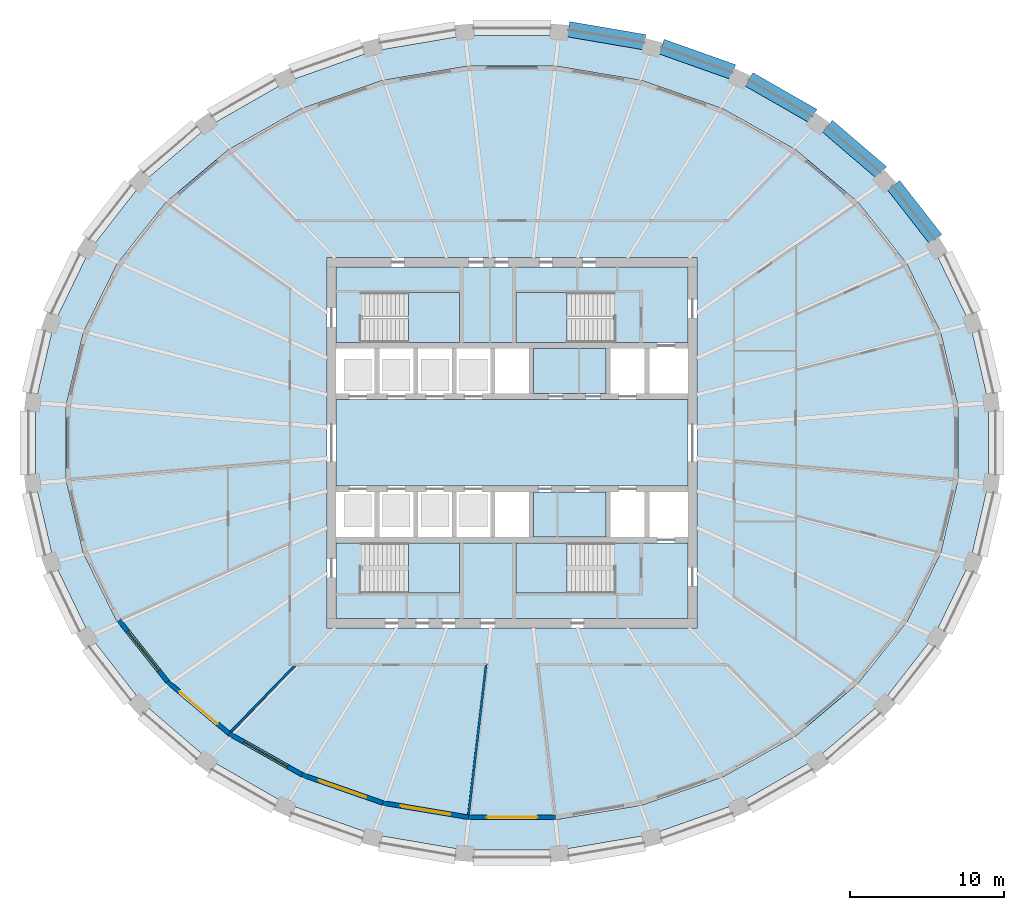
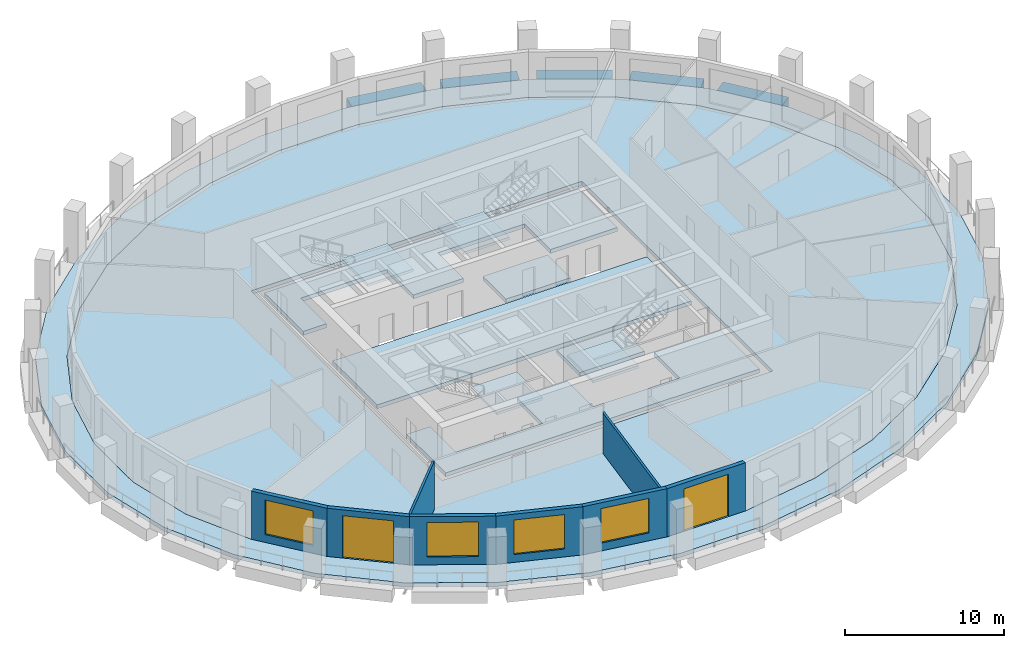
# One storey, part 2 of 11: 11 slabs, 8 walls, 5 beams, 4 windows, 2 doors, 6 openings, 4 elements without a shape of their own.
"""IFC4 building model written with IfcOpenShell, lengths in metres."""

from ifc_helpers import new_model, si_unit, direction, frame, frame_2d, origin, origin_2d, place, context, subcontext, project, spatial, polyline, rectangle, outline, extrude, material, layer, layer_set, material_profile, profile_set, type_object, element, fill, aggregate, save


model = new_model("IFC4")

# Units and contexts
model_context = context("Model", 3, precision=1e-05, world=origin(), true_north=direction((0.0, 1.0)))
body_context = subcontext(model_context, "Body", "Model", "MODEL_VIEW")
ifc_project = project(units=[si_unit("LENGTHUNIT", "METRE"), si_unit("AREAUNIT", "SQUARE_METRE"), si_unit("VOLUMEUNIT", "CUBIC_METRE"), si_unit("PLANEANGLEUNIT", "RADIAN"), si_unit("MASSUNIT", "GRAM", prefix="KILO")], contexts=[model_context])

# Site, building, storey
site_placement = place(None, origin())
site = spatial("IfcSite", under=ifc_project, at=site_placement, CompositionType="ELEMENT")
building_placement = place(site_placement, origin())
building = spatial("IfcBuilding", under=site, at=building_placement, Name="Halqa Exchange Tower", CompositionType="ELEMENT")
storey_placement = place(building_placement, frame((0.0, 0.0, 234.89990234375)))
storey = spatial("IfcBuildingStorey", under=building, at=storey_placement, Name="L54", CompositionType="ELEMENT", Elevation=234.89990234375)

# Beams
ifc_material_1 = material(Name="Concrete C60/75", Category="concrete")
ifc_material_profile = material_profile(ifc_material_1, rectangle(XDim=1.0, YDim=0.89990234375, at=origin_2d()), Name="1000 x 900")
ifc_profile_set = profile_set([ifc_material_profile], Name="Concrete C60/75")
beam_type = type_object("IfcBeamType", Name="RC spandrel beam 1000 x 900 C60/75", PredefinedType="SPANDREL", material=ifc_profile_set)
beam_1_placement = place(storey_placement, frame((27.4736328125, 13.2021484375, -0.449951171875), z_axis=(-0.61480064822, 0.788682548906, 0.0), x_axis=(-0.788682548906, -0.61480064822, 0.0)))
element("IfcBeam", 1, at=beam_1_placement, inside=storey, type_object=beam_type, Name="Spandrel 3", PredefinedType="SPANDREL", context=body_context, shape_type="SweptSolid", body=[
    extrude(rectangle(XDim=1.0, YDim=0.89990234375, at=origin_2d()), origin(), (0.0, 0.0, 1.0), 4.439697265625),
])
beam_2_placement = place(storey_placement, frame((23.954833984375, 17.530517578125, -0.449951171875), z_axis=(-0.759252865995, 0.65079573253, 0.0), x_axis=(-0.65079573253, -0.759252865995, 0.0)))
element("IfcBeam", 2, at=beam_2_placement, inside=storey, type_object=beam_type, Name="Spandrel 4", PredefinedType="SPANDREL", context=body_context, shape_type="SweptSolid", body=[
    extrude(rectangle(XDim=1.0, YDim=0.89990234375, at=origin_2d()), origin(), (0.0, 0.0, 1.0), 4.6123046875),
])
beam_3_placement = place(storey_placement, frame((19.517578125, 21.19189453125, -0.449951171875), z_axis=(-0.867742640568, 0.497013792304, 0.0), x_axis=(-0.497013792304, -0.867742640568, 0.0)))
element("IfcBeam", 3, at=beam_3_placement, inside=storey, type_object=beam_type, Name="Spandrel 5", PredefinedType="SPANDREL", context=body_context, shape_type="SweptSolid", body=[
    extrude(rectangle(XDim=1.0, YDim=0.89990234375, at=origin_2d()), origin(), (0.0, 0.0, 1.0), 4.777099609375),
])
beam_4_placement = place(storey_placement, frame((14.33349609375, 24.04345703125, -0.449951171875), z_axis=(-0.942371691237, 0.334567774234, 0.0), x_axis=(-0.334567774234, -0.942371691237, 0.0)))
element("IfcBeam", 4, at=beam_4_placement, inside=storey, type_object=beam_type, Name="Spandrel 6", PredefinedType="SPANDREL", context=body_context, shape_type="SweptSolid", body=[
    extrude(rectangle(XDim=1.0, YDim=0.89990234375, at=origin_2d()), origin(), (0.0, 0.0, 1.0), 4.916015625),
])
beam_5_placement = place(storey_placement, frame((8.59326171875, 25.97705078125, -0.449951171875), z_axis=(-0.985770147747, 0.16809882751, 0.0), x_axis=(-0.16809882751, -0.985770147747, 0.0)))
element("IfcBeam", 5, at=beam_5_placement, inside=storey, type_object=beam_type, Name="Spandrel 7", PredefinedType="SPANDREL", context=body_context, shape_type="SweptSolid", body=[
    extrude(rectangle(XDim=1.0, YDim=0.89990234375, at=origin_2d()), origin(), (0.0, 0.0, 1.0), 5.00634765625),
])

# Slabs
ifc_layer_1 = layer(ifc_material_1, 0.300048828125)
ifc_layer_set_1 = layer_set([ifc_layer_1], Name="Concrete C60/75")
slab_type_1 = type_object("IfcSlabType", Name="Core floor slab 300", PredefinedType="FLOOR", material=ifc_layer_set_1)
slab_1_placement = place(storey_placement, frame((0.0, 0.0, -0.2998046875)))
element("IfcSlab", 6, at=slab_1_placement, inside=storey, type_object=slab_type_1, Name="Core floor slab", PredefinedType="FLOOR", context=body_context, shape_type="SweptSolid", body=[
    extrude(outline(polyline([(-11.39990234375, 2.800048828125), (11.39990234375, 2.800048828125), (11.39990234375, -2.800048828125), (-11.39990234375, -2.800048828125), (-11.39990234375, 2.800048828125)])), origin(), (0.0, 0.0, 1.0), 0.2998046875),
])
slab_2_placement = place(storey_placement, frame((0.0, 0.0, -0.2998046875)))
element("IfcSlab", 7, at=slab_2_placement, inside=storey, type_object=slab_type_1, Name="Core floor slab", PredefinedType="FLOOR", context=body_context, shape_type="SweptSolid", body=[
    extrude(outline(polyline([(-11.39990234375, 11.39990234375), (11.39990234375, 11.39990234375), (11.39990234375, 6.5), (6.550048828125, 6.5), (6.550048828125, 9.75), (0.25, 9.75), (0.25, 6.5), (-3.39990234375, 6.5), (-3.39990234375, 9.75), (-9.699951171875, 9.75), (-9.699951171875, 6.5), (-11.39990234375, 6.5), (-11.39990234375, 11.39990234375)])), origin(), (0.0, 0.0, 1.0), 0.2998046875),
])
slab_3_placement = place(storey_placement, frame((0.0, 0.0, -0.2998046875)))
element("IfcSlab", 8, at=slab_3_placement, inside=storey, type_object=slab_type_1, Name="Core floor slab", PredefinedType="FLOOR", context=body_context, shape_type="SweptSolid", body=[
    extrude(outline(polyline([(-9.699951171875, -9.75), (-3.39990234375, -9.75), (-3.39990234375, -6.5), (0.25, -6.5), (0.25, -9.75), (6.550048828125, -9.75), (6.550048828125, -6.5), (11.39990234375, -6.5), (11.39990234375, -11.39990234375), (-11.39990234375, -11.39990234375), (-11.39990234375, -6.5), (-9.699951171875, -6.5), (-9.699951171875, -9.75)])), origin(), (0.0, 0.0, 1.0), 0.2998046875),
])
slab_4_placement = place(storey_placement, frame((0.0, 0.0, -0.2998046875)))
element("IfcSlab", 9, at=slab_4_placement, inside=storey, type_object=slab_type_1, Name="Core floor slab", PredefinedType="FLOOR", context=body_context, shape_type="SweptSolid", body=[
    extrude(outline(polyline([(6.10009765625, -3.199951171875), (6.10009765625, -6.10009765625), (1.39990234375, -6.10009765625), (1.39990234375, -3.199951171875), (6.10009765625, -3.199951171875)])), origin(), (0.0, 0.0, 1.0), 0.2998046875),
])
slab_5_placement = place(storey_placement, frame((0.0, 0.0, -0.2998046875)))
element("IfcSlab", 10, at=slab_5_placement, inside=storey, type_object=slab_type_1, Name="Core floor slab", PredefinedType="FLOOR", context=body_context, shape_type="SweptSolid", body=[
    extrude(outline(polyline([(6.10009765625, 6.10009765625), (6.10009765625, 3.199951171875), (1.39990234375, 3.199951171875), (1.39990234375, 6.10009765625), (6.10009765625, 6.10009765625)])), origin(), (0.0, 0.0, 1.0), 0.2998046875),
])
ifc_material_2 = material(Name="Concrete C40/50", Category="concrete")
ifc_layer_2 = layer(ifc_material_2, 0.300048828125)
ifc_layer_set_2 = layer_set([ifc_layer_2], Name="Concrete C40/50")
slab_type_2 = type_object("IfcSlabType", Name="RC floor slab 300", PredefinedType="FLOOR", material=ifc_layer_set_2)
slab_6_placement = place(storey_placement, frame((0.0, 0.0, -0.2998046875)))
element("IfcSlab", 11, at=slab_6_placement, inside=storey, type_object=slab_type_2, Name="Floor slab", PredefinedType="FLOOR", context=body_context, shape_type="SweptSolid", body=[
    extrude(outline(polyline([(28.9140625, 2.411376953125), (27.798583984375, 7.139892578125), (25.612548828125, 11.590087890625), (22.4423828125, 15.5908203125), (18.412353515625, 18.9892578125), (13.677978515625, 21.65673828125), (8.421142578125, 23.49267578125), (2.84326171875, 24.428466796875), (-2.84326171875, 24.428466796875), (-8.421142578125, 23.49267578125), (-13.677978515625, 21.65673828125), (-18.412353515625, 18.9892578125), (-22.4423828125, 15.5908203125), (-25.612548828125, 11.590087890625), (-27.798583984375, 7.139892578125), (-28.9140625, 2.411376953125), (-28.9140625, -2.411376953125), (-27.798583984375, -7.139892578125), (-25.612548828125, -11.590087890625), (-22.4423828125, -15.5908203125), (-18.412353515625, -18.9892578125), (-13.677978515625, -21.65673828125), (-8.421142578125, -23.49267578125), (-2.84326171875, -24.428466796875), (2.84326171875, -24.428466796875), (8.421142578125, -23.49267578125), (13.677978515625, -21.65673828125), (18.412353515625, -18.9892578125), (22.4423828125, -15.5908203125), (25.612548828125, -11.590087890625), (27.798583984375, -7.139892578125), (28.9140625, -2.411376953125), (28.9140625, 2.411376953125)]), holes=[polyline([(-12.0, -12.0), (12.0, -12.0), (12.0, 12.0), (-12.0, 12.0), (-12.0, -12.0)])]), origin(), (0.0, 0.0, 1.0), 0.2998046875),
])
ifc_layer_3 = layer(ifc_material_2, 0.300048828125)
ifc_layer_set_3 = layer_set([ifc_layer_3], Name="Concrete C40/50")
slab_type_3 = type_object("IfcSlabType", Name="RC loggia slab 300", PredefinedType="FLOOR", material=ifc_layer_set_3)
slab_7_placement = place(storey_placement, frame((0.0, 0.0, -0.2998046875)))
element("IfcSlab", 12, at=slab_7_placement, inside=storey, type_object=slab_type_3, Name="Loggia slab", PredefinedType="FLOOR", context=body_context, shape_type="SweptSolid", body=[
    extrude(outline(polyline([(30.900634765625, 2.593505859375), (30.900634765625, -2.593505859375), (29.719482421875, -7.68359375), (27.39990234375, -12.4833984375), (24.027099609375, -16.810302734375), (19.727294921875, -20.49560546875), (14.664306640625, -23.3955078125), (9.03271484375, -25.39501953125), (3.05029296875, -26.414794921875), (-3.05029296875, -26.414794921875), (-9.03271484375, -25.39501953125), (-14.664306640625, -23.3955078125), (-19.727294921875, -20.49560546875), (-24.027099609375, -16.810302734375), (-27.39990234375, -12.4833984375), (-29.719482421875, -7.68359375), (-30.900634765625, -2.593505859375), (-30.900634765625, 2.593505859375), (-29.719482421875, 7.68359375), (-27.39990234375, 12.4833984375), (-24.027099609375, 16.810302734375), (-19.727294921875, 20.49560546875), (-14.664306640625, 23.3955078125), (-9.03271484375, 25.39501953125), (-3.05029296875, 26.414794921875), (3.05029296875, 26.414794921875), (9.03271484375, 25.39501953125), (14.664306640625, 23.3955078125), (19.727294921875, 20.49560546875), (24.027099609375, 16.810302734375), (27.39990234375, 12.4833984375), (29.719482421875, 7.68359375), (30.900634765625, 2.593505859375)]), holes=[polyline([(28.9140625, 2.411376953125), (27.798583984375, 7.139892578125), (25.612548828125, 11.590087890625), (22.4423828125, 15.5908203125), (18.412353515625, 18.9892578125), (13.677978515625, 21.65673828125), (8.421142578125, 23.49267578125), (2.84326171875, 24.428466796875), (-2.84326171875, 24.428466796875), (-8.421142578125, 23.49267578125), (-13.677978515625, 21.65673828125), (-18.412353515625, 18.9892578125), (-22.4423828125, 15.5908203125), (-25.612548828125, 11.590087890625), (-27.798583984375, 7.139892578125), (-28.9140625, 2.411376953125), (-28.9140625, -2.411376953125), (-27.798583984375, -7.139892578125), (-25.612548828125, -11.590087890625), (-22.4423828125, -15.5908203125), (-18.412353515625, -18.9892578125), (-13.677978515625, -21.65673828125), (-8.421142578125, -23.49267578125), (-2.84326171875, -24.428466796875), (2.84326171875, -24.428466796875), (8.421142578125, -23.49267578125), (13.677978515625, -21.65673828125), (18.412353515625, -18.9892578125), (22.4423828125, -15.5908203125), (25.612548828125, -11.590087890625), (27.798583984375, -7.139892578125), (28.9140625, -2.411376953125), (28.9140625, 2.411376953125)])]), origin(), (0.0, 0.0, 1.0), 0.2998046875),
])

# Stair, slab
ifc_material_3 = material(Name="Concrete C30/37", Category="concrete")
stair_type = type_object("IfcStairType", Name="Exit stair 1500 wide", PredefinedType="HALF_TURN_STAIR", material=ifc_material_3)
stair_1_placement = place(storey_placement, origin())
stair_1 = element("IfcStair", 13, at=stair_1_placement, inside=storey, type_object=stair_type, Name="Exit stair ST1", PredefinedType="HALF_TURN_STAIR")
ifc_layer_4 = layer(ifc_material_3, 0.199951171875)
ifc_layer_set_4 = layer_set([ifc_layer_4], Name="Concrete C30/37")
slab_type_4 = type_object("IfcSlabType", Name="Stair landing 200 slab", PredefinedType="LANDING", material=ifc_layer_set_4)
slab_8_placement = place(storey_placement, frame((0.0, 0.0, 1.800048828125)))
slab_8 = element("IfcSlab", 14, at=slab_8_placement, type_object=slab_type_4, Name="ST1 landing 1", PredefinedType="LANDING", context=body_context, shape_type="SweptSolid", body=[
    extrude(outline(polyline([(-6.719970703125, 6.5), (-3.39990234375, 6.5), (-3.39990234375, 9.75), (-6.719970703125, 9.75), (-6.719970703125, 6.5)])), origin(), (0.0, 0.0, 1.0), 0.199951171875),
])
aggregate(stair_1, [slab_8])

stair_2_placement = place(storey_placement, origin())
stair_2 = element("IfcStair", 15, at=stair_2_placement, inside=storey, type_object=stair_type, Name="Exit stair ST2", PredefinedType="HALF_TURN_STAIR")
slab_9_placement = place(storey_placement, frame((0.0, 0.0, 1.800048828125)))
slab_9 = element("IfcSlab", 16, at=slab_9_placement, type_object=slab_type_4, Name="ST2 landing 1", PredefinedType="LANDING", context=body_context, shape_type="SweptSolid", body=[
    extrude(outline(polyline([(0.25, 6.5), (3.570068359375, 6.5), (3.570068359375, 9.75), (0.25, 9.75), (0.25, 6.5)])), origin(), (0.0, 0.0, 1.0), 0.199951171875),
])
aggregate(stair_2, [slab_9])

stair_3_placement = place(storey_placement, origin())
stair_3 = element("IfcStair", 17, at=stair_3_placement, inside=storey, type_object=stair_type, Name="Exit stair ST3", PredefinedType="HALF_TURN_STAIR")
slab_10_placement = place(storey_placement, frame((0.0, 0.0, 1.800048828125)))
slab_10 = element("IfcSlab", 18, at=slab_10_placement, type_object=slab_type_4, Name="ST3 landing 1", PredefinedType="LANDING", context=body_context, shape_type="SweptSolid", body=[
    extrude(outline(polyline([(-6.719970703125, -9.75), (-3.39990234375, -9.75), (-3.39990234375, -6.5), (-6.719970703125, -6.5), (-6.719970703125, -9.75)])), origin(), (0.0, 0.0, 1.0), 0.199951171875),
])
aggregate(stair_3, [slab_10])

stair_4_placement = place(storey_placement, origin())
stair_4 = element("IfcStair", 19, at=stair_4_placement, inside=storey, type_object=stair_type, Name="Exit stair ST4", PredefinedType="HALF_TURN_STAIR")
slab_11_placement = place(storey_placement, frame((0.0, 0.0, 1.800048828125)))
slab_11 = element("IfcSlab", 20, at=slab_11_placement, type_object=slab_type_4, Name="ST4 landing 1", PredefinedType="LANDING", context=body_context, shape_type="SweptSolid", body=[
    extrude(outline(polyline([(0.25, -9.75), (3.570068359375, -9.75), (3.570068359375, -6.5), (0.25, -6.5), (0.25, -9.75)])), origin(), (0.0, 0.0, 1.0), 0.199951171875),
])
aggregate(stair_4, [slab_11])

# Walls
ifc_material_4 = material(Name="Fire-rated gypsum board")
ifc_layer_5 = layer(ifc_material_4, 0.14990234375)
ifc_layer_set_5 = layer_set([ifc_layer_5], Name="Fire-rated gypsum board")
wall_type_1 = type_object("IfcWallType", Name="Fire partition EI 60 150", PredefinedType="PARTITIONING", material=ifc_layer_set_5)
wall_1_placement = place(storey_placement, frame((-14.0322265625, -14.4228515625, 0.0), z_axis=(0.0, 0.0, 1.0), x_axis=(-0.697618878337, -0.716469050684, 0.0)))
element("IfcWall", 21, at=wall_1_placement, inside=storey, type_object=wall_type_1, Name="L54-PWL-008", PredefinedType="PARTITIONING", context=body_context, shape_type="SweptSolid", body=[
    extrude(outline(polyline([(0.0, 0.074951171875), (0.0, 0.07470703125), (0.02197265625, 0.05224609375), (0.01123046875, 0.041748046875), (0.124755859375, -0.074951171875), (2.08642578125, -0.074951171875), (4.0478515625, -0.074951171875), (6.009521484375, -0.074951171875), (6.009521484375, 0.074951171875), (4.507080078125, 0.074951171875), (3.0048828125, 0.074951171875), (1.50244140625, 0.074951171875), (0.0, 0.074951171875)])), origin(), (0.0, 0.0, 1.0), 3.7001953125),
])
wall_2_placement = place(storey_placement, frame((-2.814453125, -24.125, 0.0), z_axis=(0.0, 0.0, 1.0), x_axis=(0.115875821394, 0.993263708195, 0.0)))
element("IfcWall", 22, at=wall_2_placement, inside=storey, type_object=wall_type_1, Name="L54-PWL-011", PredefinedType="PARTITIONING", context=body_context, shape_type="SweptSolid", body=[
    extrude(outline(polyline([(9.875, -0.074951171875), (9.875, -0.07470703125), (9.791015625, 0.0), (9.706787109375, 0.074951171875), (7.765380859375, 0.074951171875), (5.82421875, 0.074951171875), (3.8828125, 0.074951171875), (1.94140625, 0.074951171875), (0.0, 0.074951171875), (0.0, -0.029296875), (0.00537109375, -0.074951171875), (1.979248046875, -0.074951171875), (3.953125, -0.074951171875), (5.92724609375, -0.074951171875), (7.901123046875, -0.074951171875), (9.875, -0.074951171875)])), origin(), (0.0, 0.0, 1.0), 3.10009765625),
])

# Wall, opening, window
ifc_material_5 = material(Name="Limestone cladding", Category="masonry")
ifc_layer_6 = layer(ifc_material_5, 0.0400390625)
ifc_material_6 = material(Name="Ventilated cavity")
ifc_layer_7 = layer(ifc_material_6, 0.030029296875, ventilated=True)
ifc_material_7 = material(Name="Mineral wool insulation")
ifc_layer_8 = layer(ifc_material_7, 0.10009765625)
ifc_layer_9 = layer(ifc_material_3, 0.10009765625)
ifc_material_8 = material(Name="Internal plaster")
ifc_layer_10 = layer(ifc_material_8, 0.030029296875)
ifc_layer_set_6 = layer_set([ifc_layer_6, ifc_layer_7, ifc_layer_8, ifc_layer_9, ifc_layer_10], Name="Stone-faced insulated wall 300")
wall_type_2 = type_object("IfcWallType", Name="Stone-faced insulated wall 300", PredefinedType="STANDARD", material=ifc_layer_set_6)
wall_3_placement = place(storey_placement, frame((-25.485107421875, -11.509765625, 0.0), z_axis=(0.0, 0.0, 1.0), x_axis=(0.621084984443, -0.783743224596, 0.0)))
wall_3 = element("IfcWall", 23, at=wall_3_placement, inside=storey, type_object=wall_type_2, Name="Glass-line wall 19", PredefinedType="STANDARD", context=body_context, shape_type="SweptSolid", body=[
    extrude(outline(polyline([(-0.01611328125, -0.14990234375), (5.08837890625, -0.14990234375), (5.05810546875, 0.14990234375), (0.01611328125, 0.14990234375), (-0.01611328125, -0.14990234375)])), origin(), (0.0, 0.0, 1.0), 3.7001953125),
])
opening_1_placement = place(wall_3_placement, frame((0.91162109375, 0.0, 0.60009765625)))
opening_1 = element("IfcOpeningElement", 24, at=opening_1_placement, cuts=wall_3, Name="Opening W-F3-19", PredefinedType="OPENING", context=body_context, shape_type="SweptSolid", body=[
    extrude(rectangle(XDim=3.25, YDim=2.64990234375, at=frame_2d((1.625, 1.324951171875))), frame((0.0, 0.162109375, 0.0), z_axis=(0.0, -1.0, 0.0), x_axis=(1.0, 0.0, 0.0)), (0.0, 0.0, 1.0), 0.323974609375),
])
ifc_material_9 = material(Name="Clear low-emissivity glass in aluminium frame", Category="aluminium")
window_type = type_object("IfcWindowType", Name="Fixed clear glazed window 3250 x 2650", PartitioningType="TRIPLE_PANEL_VERTICAL", PredefinedType="WINDOW", material=ifc_material_9)
window_1_placement = place(opening_1_placement, origin())
window_1 = element("IfcWindow", 25, at=window_1_placement, inside=storey, type_object=window_type, Name="Window 3", OverallHeight=2.64990234375, OverallWidth=3.25, PartitioningType="TRIPLE_PANEL_VERTICAL", PredefinedType="WINDOW", context=body_context, shape_type="SweptSolid", body=[
    extrude(rectangle(XDim=3.25, YDim=2.64990234375, at=frame_2d((1.625, 1.324951171875))), frame((0.0, 0.030029296875, 0.0), z_axis=(0.0, -1.0, 0.0), x_axis=(1.0, 0.0, 0.0)), (0.0, 0.0, 1.0), 0.06005859375),
])
fill(opening_1, window_1)

# Wall, opening, door
wall_4_placement = place(storey_placement, frame((-22.334228515625, -15.48583984375, 0.0), z_axis=(0.0, 0.0, 1.0), x_axis=(0.764475071601, -0.644653290459, 0.0)))
wall_4 = element("IfcWall", 26, at=wall_4_placement, inside=storey, type_object=wall_type_2, Name="Glass-line wall 20", PredefinedType="STANDARD", context=body_context, shape_type="SweptSolid", body=[
    extrude(outline(polyline([(-0.01513671875, -0.14990234375), (5.2568359375, -0.14990234375), (5.228515625, 0.14990234375), (0.01513671875, 0.14990234375), (-0.01513671875, -0.14990234375)])), origin(), (0.0, 0.0, 1.0), 3.7001953125),
])
opening_2_placement = place(wall_4_placement, frame((0.996337890625, 0.0, 0.0)))
opening_2 = element("IfcOpeningElement", 27, at=opening_2_placement, cuts=wall_4, Name="Opening LG-F3-05", PredefinedType="OPENING", context=body_context, shape_type="SweptSolid", body=[
    extrude(rectangle(XDim=3.25, YDim=3.25, at=frame_2d((1.625, 1.625))), frame((0.0, 0.162109375, 0.0), z_axis=(0.0, -1.0, 0.0), x_axis=(1.0, 0.0, 0.0)), (0.0, 0.0, 1.0), 0.323974609375),
])
door_type = type_object("IfcDoorType", Name="Glazed sliding loggia door 3250 x 3250", OperationType="DOUBLE_DOOR_SLIDING", PredefinedType="DOOR", material=ifc_material_9)
door_1_placement = place(opening_2_placement, origin())
door_1 = element("IfcDoor", 28, at=door_1_placement, inside=storey, type_object=door_type, Name="Loggia door 5", OperationType="DOUBLE_DOOR_SLIDING", OverallHeight=3.25, OverallWidth=3.25, PredefinedType="DOOR", context=body_context, shape_type="SweptSolid", body=[
    extrude(rectangle(XDim=3.25, YDim=3.25, at=frame_2d((1.625, 1.625))), frame((0.0, 0.02490234375, 0.0), z_axis=(0.0, -1.0, 0.0), x_axis=(1.0, 0.0, 0.0)), (0.0, 0.0, 1.0), 0.050048828125),
])
fill(opening_2, door_1)

# Wall, opening, window
wall_5_placement = place(storey_placement, frame((-18.326416015625, -18.865478515625, 0.0), z_axis=(0.0, 0.0, 1.0), x_axis=(0.871225596594, -0.490882837181, 0.0)))
wall_5 = element("IfcWall", 29, at=wall_5_placement, inside=storey, type_object=wall_type_2, Name="Glass-line wall 21", PredefinedType="STANDARD", context=body_context, shape_type="SweptSolid", body=[
    extrude(outline(polyline([(-0.01416015625, -0.14990234375), (5.420166015625, -0.14990234375), (5.393310546875, 0.14990234375), (0.01416015625, 0.14990234375), (-0.01416015625, -0.14990234375)])), origin(), (0.0, 0.0, 1.0), 3.7001953125),
])
opening_3_placement = place(wall_5_placement, frame((1.078369140625, 0.0, 0.60009765625)))
opening_3 = element("IfcOpeningElement", 30, at=opening_3_placement, cuts=wall_5, Name="Opening W-F3-21", PredefinedType="OPENING", context=body_context, shape_type="SweptSolid", body=[
    extrude(rectangle(XDim=3.25, YDim=2.64990234375, at=frame_2d((1.625, 1.324951171875))), frame((0.0, 0.162109375, 0.0), z_axis=(0.0, -1.0, 0.0), x_axis=(1.0, 0.0, 0.0)), (0.0, 0.0, 1.0), 0.323974609375),
])
window_2_placement = place(opening_3_placement, origin())
window_2 = element("IfcWindow", 31, at=window_2_placement, inside=storey, type_object=window_type, Name="Window 3", OverallHeight=2.64990234375, OverallWidth=3.25, PartitioningType="TRIPLE_PANEL_VERTICAL", PredefinedType="WINDOW", context=body_context, shape_type="SweptSolid", body=[
    extrude(rectangle(XDim=3.25, YDim=2.64990234375, at=frame_2d((1.625, 1.324951171875))), frame((0.0, 0.030029296875, 0.0), z_axis=(0.0, -1.0, 0.0), x_axis=(1.0, 0.0, 0.0)), (0.0, 0.0, 1.0), 0.06005859375),
])
fill(opening_3, window_2)

wall_6_placement = place(storey_placement, frame((-13.615966796875, -21.51953125, 0.0), z_axis=(0.0, 0.0, 1.0), x_axis=(0.944075859918, -0.329728328659, 0.0)))
wall_6 = element("IfcWall", 32, at=wall_6_placement, inside=storey, type_object=wall_type_2, Name="Glass-line wall 22", PredefinedType="STANDARD", context=body_context, shape_type="SweptSolid", body=[
    extrude(outline(polyline([(-0.013427734375, -0.14990234375), (5.554931640625, -0.14990234375), (5.529541015625, 0.14990234375), (0.013427734375, 0.14990234375), (-0.013427734375, -0.14990234375)])), origin(), (0.0, 0.0, 1.0), 3.7001953125),
])
opening_4_placement = place(wall_6_placement, frame((1.14599609375, 0.0, 0.60009765625)))
opening_4 = element("IfcOpeningElement", 33, at=opening_4_placement, cuts=wall_6, Name="Opening W-F3-22", PredefinedType="OPENING", context=body_context, shape_type="SweptSolid", body=[
    extrude(rectangle(XDim=3.25, YDim=2.64990234375, at=frame_2d((1.625, 1.324951171875))), frame((0.0, 0.162109375, 0.0), z_axis=(0.0, -1.0, 0.0), x_axis=(1.0, 0.0, 0.0)), (0.0, 0.0, 1.0), 0.323974609375),
])
window_3_placement = place(opening_4_placement, origin())
window_3 = element("IfcWindow", 34, at=window_3_placement, inside=storey, type_object=window_type, Name="Window 3", OverallHeight=2.64990234375, OverallWidth=3.25, PartitioningType="TRIPLE_PANEL_VERTICAL", PredefinedType="WINDOW", context=body_context, shape_type="SweptSolid", body=[
    extrude(rectangle(XDim=3.25, YDim=2.64990234375, at=frame_2d((1.625, 1.324951171875))), frame((0.0, 0.030029296875, 0.0), z_axis=(0.0, -1.0, 0.0), x_axis=(1.0, 0.0, 0.0)), (0.0, 0.0, 1.0), 0.06005859375),
])
fill(opening_4, window_3)

wall_7_placement = place(storey_placement, frame((-8.3837890625, -23.346923828125, 0.0), z_axis=(0.0, 0.0, 1.0), x_axis=(0.986223472554, -0.165418445715, 0.0)))
wall_7 = element("IfcWall", 35, at=wall_7_placement, inside=storey, type_object=wall_type_2, Name="Glass-line wall 23", PredefinedType="STANDARD", context=body_context, shape_type="SweptSolid", body=[
    extrude(outline(polyline([(-0.0126953125, -0.14990234375), (5.64306640625, -0.14990234375), (5.6181640625, 0.14990234375), (0.0126953125, 0.14990234375), (-0.0126953125, -0.14990234375)])), origin(), (0.0, 0.0, 1.0), 3.7001953125),
])
opening_5_placement = place(wall_7_placement, frame((1.190185546875, 0.0, 0.60009765625)))
opening_5 = element("IfcOpeningElement", 36, at=opening_5_placement, cuts=wall_7, Name="Opening W-F3-23", PredefinedType="OPENING", context=body_context, shape_type="SweptSolid", body=[
    extrude(rectangle(XDim=3.25, YDim=2.64990234375, at=frame_2d((1.625, 1.324951171875))), frame((0.0, 0.162109375, 0.0), z_axis=(0.0, -1.0, 0.0), x_axis=(1.0, 0.0, 0.0)), (0.0, 0.0, 1.0), 0.323974609375),
])
window_4_placement = place(opening_5_placement, origin())
window_4 = element("IfcWindow", 37, at=window_4_placement, inside=storey, type_object=window_type, Name="Window 3", OverallHeight=2.64990234375, OverallWidth=3.25, PartitioningType="TRIPLE_PANEL_VERTICAL", PredefinedType="WINDOW", context=body_context, shape_type="SweptSolid", body=[
    extrude(rectangle(XDim=3.25, YDim=2.64990234375, at=frame_2d((1.625, 1.324951171875))), frame((0.0, 0.030029296875, 0.0), z_axis=(0.0, -1.0, 0.0), x_axis=(1.0, 0.0, 0.0)), (0.0, 0.0, 1.0), 0.06005859375),
])
fill(opening_5, window_4)

# Wall, opening, door
wall_8_placement = place(storey_placement, frame((-2.830810546875, -24.2783203125, 0.0), z_axis=(0.0, 0.0, 1.0), x_axis=(1.0, 0.0, 0.0)))
wall_8 = element("IfcWall", 38, at=wall_8_placement, inside=storey, type_object=wall_type_2, Name="Glass-line wall 24", PredefinedType="STANDARD", context=body_context, shape_type="SweptSolid", body=[
    extrude(outline(polyline([(-0.012451171875, -0.14990234375), (5.674072265625, -0.14990234375), (5.649169921875, 0.14990234375), (0.012451171875, 0.14990234375), (-0.012451171875, -0.14990234375)])), origin(), (0.0, 0.0, 1.0), 3.7001953125),
])
opening_6_placement = place(wall_8_placement, frame((1.205810546875, 0.0, 0.0)))
opening_6 = element("IfcOpeningElement", 39, at=opening_6_placement, cuts=wall_8, Name="Opening LG-F3-06", PredefinedType="OPENING", context=body_context, shape_type="SweptSolid", body=[
    extrude(rectangle(XDim=3.25, YDim=3.25, at=frame_2d((1.625, 1.625))), frame((0.0, 0.162109375, 0.0), z_axis=(0.0, -1.0, 0.0), x_axis=(1.0, 0.0, 0.0)), (0.0, 0.0, 1.0), 0.323974609375),
])
door_2_placement = place(opening_6_placement, origin())
door_2 = element("IfcDoor", 40, at=door_2_placement, inside=storey, type_object=door_type, Name="Loggia door 6", OperationType="DOUBLE_DOOR_SLIDING", OverallHeight=3.25, OverallWidth=3.25, PredefinedType="DOOR", context=body_context, shape_type="SweptSolid", body=[
    extrude(rectangle(XDim=3.25, YDim=3.25, at=frame_2d((1.625, 1.625))), frame((0.0, 0.02490234375, 0.0), z_axis=(0.0, -1.0, 0.0), x_axis=(1.0, 0.0, 0.0)), (0.0, 0.0, 1.0), 0.050048828125),
])
fill(opening_6, door_2)

save(model, "model.ifc")
